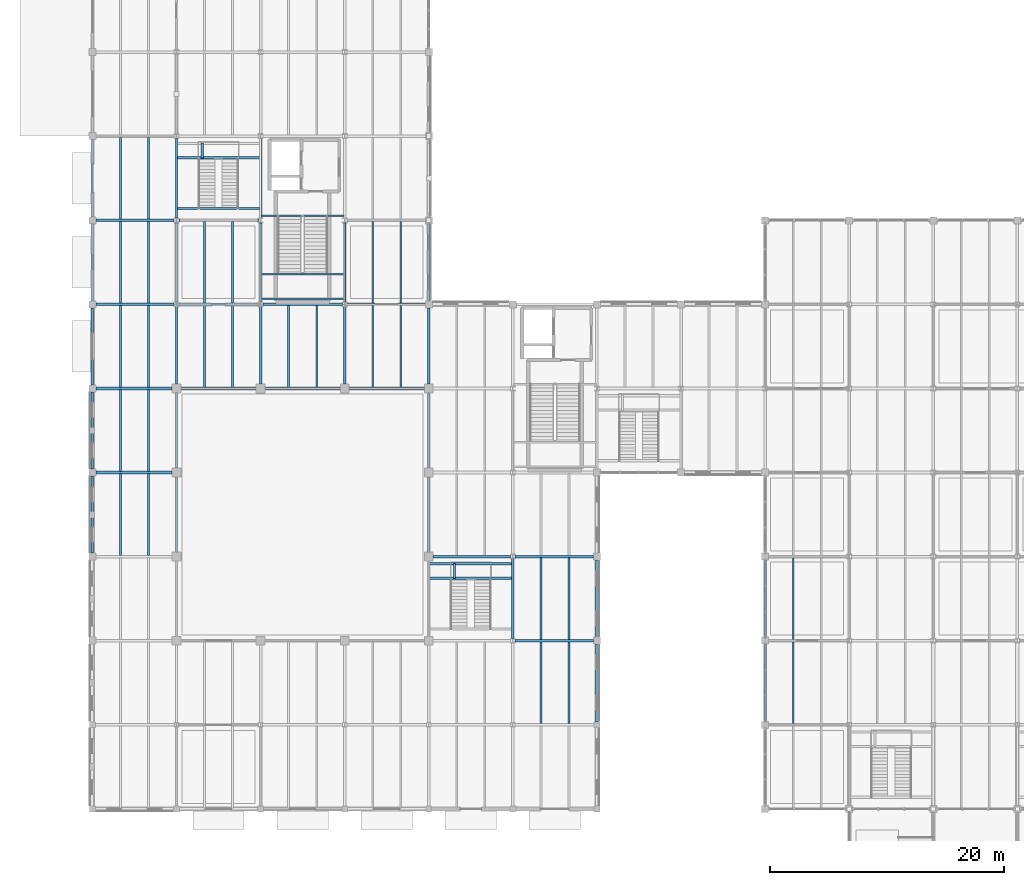
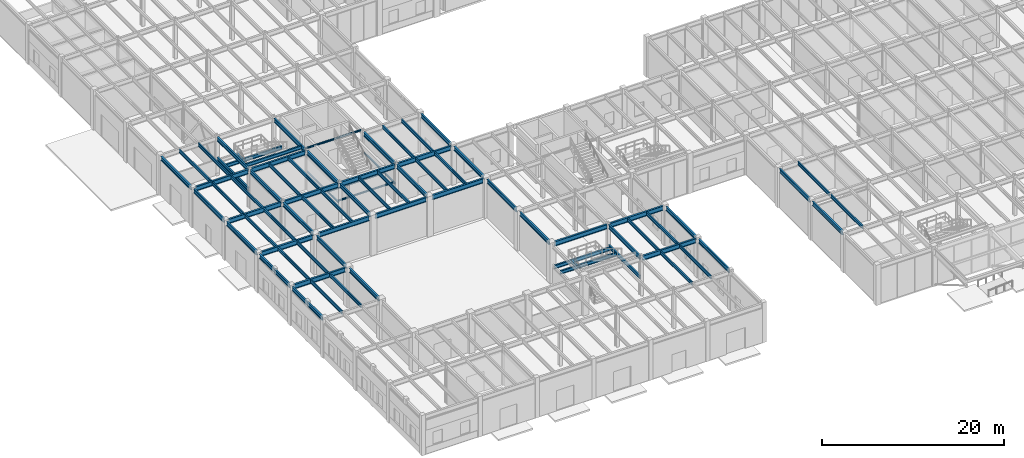
# One storey, part 19 of 97: 77 beams.
"""IFC4 building model written with IfcOpenShell, lengths in metres."""

from ifc_helpers import new_model, si_unit, direction, frame, origin, origin_2d, place, context, subcontext, project, spatial, i_section, extrude, material, material_profile, profile_set, type_object, element, save


model = new_model("IFC4")

# Units and contexts
model_context = context("Model", 3, precision=1e-05, world=origin(), true_north=direction((0.0, 1.0)))
body_context = subcontext(model_context, "Body", "Model", "MODEL_VIEW")
ifc_project = project(units=[si_unit("LENGTHUNIT", "METRE"), si_unit("AREAUNIT", "SQUARE_METRE"), si_unit("VOLUMEUNIT", "CUBIC_METRE"), si_unit("PLANEANGLEUNIT", "RADIAN"), si_unit("MASSUNIT", "GRAM", prefix="KILO")], contexts=[model_context])

# Site, building, storey
site_placement = place(None, origin())
site = spatial("IfcSite", under=ifc_project, at=site_placement, CompositionType="ELEMENT")
building_placement = place(site_placement, origin())
building = spatial("IfcBuilding", under=site, at=building_placement, Name="Sillqori Civic Hall", CompositionType="ELEMENT")
storey_placement = place(building_placement, origin())
storey = spatial("IfcBuildingStorey", under=building, at=storey_placement, Name="L01", CompositionType="ELEMENT", Elevation=0.0)

# Beams
ifc_material = material(Name="Steel ASTM A992", Category="steel")
ifc_material_profile_1 = material_profile(ifc_material, i_section(OverallWidth=0.19091796875, OverallDepth=0.4599609375, WebThickness=0.010009765625, FlangeThickness=0.01611328125, FilletRadius=0.012939453125, at=origin_2d()), Name="W18X55")
ifc_profile_set_1 = profile_set([ifc_material_profile_1], Name="Steel ASTM A992")
beam_type_1 = type_object("IfcBeamType", Name="BM-W18X55", PredefinedType="BEAM", material=ifc_profile_set_1)
beam_1_placement = place(storey_placement, frame((43.199951171875, 21.778076171875, 2.27490234375), z_axis=(0.0, 1.0, 0.0), x_axis=(-1.0, 0.0, 0.0)))
element("IfcBeam", 1, at=beam_1_placement, inside=storey, type_object=beam_type_1, Name="Council Foyer Ceremonial Stair L01-L02 landing stringer girder E", PredefinedType="BEAM", context=body_context, shape_type="SweptSolid", body=[
    extrude(i_section(OverallWidth=0.19091796875, OverallDepth=0.4599609375, WebThickness=0.010009765625, FlangeThickness=0.01611328125, FilletRadius=0.012939453125, at=origin_2d()), origin(), (0.0, 0.0, 1.0), 6.843994140625),
])
for number, where, z_axis, x_axis, name in (
    (2, (36.0400390625, 26.949951171875, 2.27490234375), (1.0, 0.0, 0.0), (0.0, 1.0, 0.0), "Council Foyer Ceremonial Stair L01-L02 half-landing cross trimmer 1"),
    (3, (36.0400390625, 28.179931640625, 2.27490234375), (1.0, 0.0, 0.0), (0.0, 1.0, 0.0), "Council Foyer Ceremonial Stair L01-L02 half-landing cross trimmer 2"),
):
    element("IfcBeam", number, at=place(storey_placement, frame(where, z_axis=z_axis, x_axis=x_axis)), inside=storey, type_object=beam_type_1, Name=name, PredefinedType="BEAM", context=body_context, shape_type="SweptSolid", body=[
        extrude(i_section(OverallWidth=0.19091796875, OverallDepth=0.4599609375, WebThickness=0.010009765625, FlangeThickness=0.01611328125, FilletRadius=0.012939453125, at=origin_2d()), origin(), (0.0, 0.0, 1.0), 7.119873046875),
    ])
beam_2_placement = place(storey_placement, frame((38.199951171875, 26.919921875, 2.27490234375), z_axis=(0.0, 1.0, 0.0), x_axis=(-1.0, 0.0, 0.0)))
element("IfcBeam", 4, at=beam_2_placement, inside=storey, type_object=beam_type_1, Name="Council Foyer Ceremonial Stair L01-L02 half-landing spine rib", PredefinedType="BEAM", context=body_context, shape_type="SweptSolid", body=[
    extrude(i_section(OverallWidth=0.19091796875, OverallDepth=0.4599609375, WebThickness=0.010009765625, FlangeThickness=0.01611328125, FilletRadius=0.012939453125, at=origin_2d()), origin(), (0.0, 0.0, 1.0), 1.2900390625),
])
beam_3_placement = place(storey_placement, frame((14.39990234375, 57.787109375, 2.27490234375), z_axis=(0.0, 1.0, 0.0), x_axis=(-1.0, 0.0, 0.0)))
element("IfcBeam", 5, at=beam_3_placement, inside=storey, type_object=beam_type_1, Name="West Committee Concourse Stair L01-L02 landing stringer girder W", PredefinedType="BEAM", context=body_context, shape_type="SweptSolid", body=[
    extrude(i_section(OverallWidth=0.19091796875, OverallDepth=0.4599609375, WebThickness=0.010009765625, FlangeThickness=0.01611328125, FilletRadius=0.012939453125, at=origin_2d()), origin(), (0.0, 0.0, 1.0), 6.825927734375),
])
beam_4_placement = place(storey_placement, frame((14.43994140625, 62.949951171875, 2.27490234375), z_axis=(1.0, 0.0, 0.0), x_axis=(0.0, 1.0, 0.0)))
element("IfcBeam", 6, at=beam_4_placement, inside=storey, type_object=beam_type_1, Name="West Committee Concourse Stair L01-L02 half-landing cross trimmer 1", PredefinedType="BEAM", context=body_context, shape_type="SweptSolid", body=[
    extrude(i_section(OverallWidth=0.19091796875, OverallDepth=0.4599609375, WebThickness=0.010009765625, FlangeThickness=0.01611328125, FilletRadius=0.012939453125, at=origin_2d()), origin(), (0.0, 0.0, 1.0), 7.1201171875),
])
beam_5_placement = place(storey_placement, frame((16.60009765625, 62.919921875, 2.27490234375), z_axis=(0.0, 1.0, 0.0), x_axis=(-1.0, 0.0, 0.0)))
element("IfcBeam", 7, at=beam_5_placement, inside=storey, type_object=beam_type_1, Name="West Committee Concourse Stair L01-L02 half-landing spine rib", PredefinedType="BEAM", context=body_context, shape_type="SweptSolid", body=[
    extrude(i_section(OverallWidth=0.19091796875, OverallDepth=0.4599609375, WebThickness=0.010009765625, FlangeThickness=0.01611328125, FilletRadius=0.012939453125, at=origin_2d()), origin(), (0.0, 0.0, 1.0), 1.2900390625),
])
beam_6_placement = place(storey_placement, frame((14.43994140625, 58.60009765625, 4.97509765625), z_axis=(1.0, 0.0, 0.0), x_axis=(0.0, 1.0, 0.0)))
element("IfcBeam", 8, at=beam_6_placement, inside=storey, type_object=beam_type_1, Name="West Committee Concourse Stair L01-L02 upper arrival trimmer beam", PredefinedType="BEAM", context=body_context, shape_type="SweptSolid", body=[
    extrude(i_section(OverallWidth=0.19091796875, OverallDepth=0.4599609375, WebThickness=0.010009765625, FlangeThickness=0.01611328125, FilletRadius=0.012939453125, at=origin_2d()), origin(), (0.0, 0.0, 1.0), 7.1201171875),
])
ifc_material_profile_2 = material_profile(ifc_material, i_section(OverallWidth=0.2099609375, OverallDepth=0.532958984375, WebThickness=0.01025390625, FlangeThickness=0.015625, FilletRadius=0.013916015625, at=origin_2d()), Name="W21X62")
ifc_profile_set_2 = profile_set([ifc_material_profile_2], Name="Steel ASTM A992")
beam_type_2 = type_object("IfcBeamType", Name="BM-W21X62", PredefinedType="BEAM", material=ifc_profile_set_2)
for number, where, z_axis, x_axis, name in (
    (9, (7.199951171875, 29.093994140625, 4.93359375), (0.0, 1.0, 0.0), (-1.0, 0.0, 0.0), "L01 girder Y 1-4"),
    (10, (7.199951171875, 36.2939453125, 4.93359375), (0.0, 1.0, 0.0), (-1.0, 0.0, 0.0), "L01 girder Y 1-5"),
    (11, (7.199951171875, 43.493896484375, 4.93359375), (0.0, 1.0, 0.0), (-1.0, 0.0, 0.0), "L01 girder Y 1-6"),
):
    element("IfcBeam", number, at=place(storey_placement, frame(where, z_axis=z_axis, x_axis=x_axis)), inside=storey, type_object=beam_type_2, Name=name, PredefinedType="BEAM", context=body_context, shape_type="SweptSolid", body=[
        extrude(i_section(OverallWidth=0.2099609375, OverallDepth=0.532958984375, WebThickness=0.01025390625, FlangeThickness=0.015625, FilletRadius=0.013916015625, at=origin_2d()), origin(), (0.0, 0.0, 1.0), 6.612060546875),
    ])
beam_7_placement = place(storey_placement, frame((7.199951171875, 50.694091796875, 4.93359375), z_axis=(0.0, 1.0, 0.0), x_axis=(-1.0, 0.0, 0.0)))
element("IfcBeam", 12, at=beam_7_placement, inside=storey, type_object=beam_type_2, Name="L01 girder Y 1-7", PredefinedType="BEAM", context=body_context, shape_type="SweptSolid", body=[
    extrude(i_section(OverallWidth=0.2099609375, OverallDepth=0.532958984375, WebThickness=0.01025390625, FlangeThickness=0.015625, FilletRadius=0.013916015625, at=origin_2d()), origin(), (0.0, 0.0, 1.0), 6.61181640625),
])
beam_8_placement = place(storey_placement, frame((7.199951171875, 57.89404296875, 4.93359375), z_axis=(0.0, 1.0, 0.0), x_axis=(-1.0, 0.0, 0.0)))
element("IfcBeam", 13, at=beam_8_placement, inside=storey, type_object=beam_type_2, Name="L01 girder Y 1-8", PredefinedType="BEAM", context=body_context, shape_type="SweptSolid", body=[
    extrude(i_section(OverallWidth=0.2099609375, OverallDepth=0.532958984375, WebThickness=0.01025390625, FlangeThickness=0.015625, FilletRadius=0.013916015625, at=origin_2d()), origin(), (0.0, 0.0, 1.0), 6.612060546875),
])
for number, where, z_axis, x_axis, name in (
    (14, (14.39990234375, 29.1689453125, 4.93359375), (0.0, 1.0, 0.0), (-1.0, 0.0, 0.0), "L01 girder Y 2-4"),
    (15, (14.39990234375, 36.368896484375, 4.93359375), (0.0, 1.0, 0.0), (-1.0, 0.0, 0.0), "L01 girder Y 2-5"),
):
    element("IfcBeam", number, at=place(storey_placement, frame(where, z_axis=z_axis, x_axis=x_axis)), inside=storey, type_object=beam_type_2, Name=name, PredefinedType="BEAM", context=body_context, shape_type="SweptSolid", body=[
        extrude(i_section(OverallWidth=0.2099609375, OverallDepth=0.532958984375, WebThickness=0.01025390625, FlangeThickness=0.015625, FilletRadius=0.013916015625, at=origin_2d()), origin(), (0.0, 0.0, 1.0), 6.462158203125),
    ])
beam_9_placement = place(storey_placement, frame((14.39990234375, 43.569091796875, 4.93359375), z_axis=(0.0, 1.0, 0.0), x_axis=(-1.0, 0.0, 0.0)))
element("IfcBeam", 16, at=beam_9_placement, inside=storey, type_object=beam_type_2, Name="L01 girder Y 2-6", PredefinedType="BEAM", context=body_context, shape_type="SweptSolid", body=[
    extrude(i_section(OverallWidth=0.2099609375, OverallDepth=0.532958984375, WebThickness=0.01025390625, FlangeThickness=0.015625, FilletRadius=0.013916015625, at=origin_2d()), origin(), (0.0, 0.0, 1.0), 6.643798828125),
])
beam_10_placement = place(storey_placement, frame((14.39990234375, 50.5869140625, 4.93359375), z_axis=(0.0, 1.0, 0.0), x_axis=(-1.0, 0.0, 0.0)))
element("IfcBeam", 17, at=beam_10_placement, inside=storey, type_object=beam_type_2, Name="L01 girder Y 2-7", PredefinedType="BEAM", context=body_context, shape_type="SweptSolid", body=[
    extrude(i_section(OverallWidth=0.2099609375, OverallDepth=0.532958984375, WebThickness=0.01025390625, FlangeThickness=0.015625, FilletRadius=0.013916015625, at=origin_2d()), origin(), (0.0, 0.0, 1.0), 6.826171875),
])
beam_11_placement = place(storey_placement, frame((14.39990234375, 57.787109375, 4.93359375), z_axis=(0.0, 1.0, 0.0), x_axis=(-1.0, 0.0, 0.0)))
element("IfcBeam", 18, at=beam_11_placement, inside=storey, type_object=beam_type_2, Name="L01 girder Y 2-8", PredefinedType="BEAM", context=body_context, shape_type="SweptSolid", body=[
    extrude(i_section(OverallWidth=0.2099609375, OverallDepth=0.532958984375, WebThickness=0.01025390625, FlangeThickness=0.015625, FilletRadius=0.013916015625, at=origin_2d()), origin(), (0.0, 0.0, 1.0), 6.825927734375),
])
beam_12_placement = place(storey_placement, frame((21.60009765625, 43.569091796875, 4.93359375), z_axis=(0.0, 1.0, 0.0), x_axis=(-1.0, 0.0, 0.0)))
element("IfcBeam", 19, at=beam_12_placement, inside=storey, type_object=beam_type_2, Name="L01 girder Y 3-6", PredefinedType="BEAM", context=body_context, shape_type="SweptSolid", body=[
    extrude(i_section(OverallWidth=0.2099609375, OverallDepth=0.532958984375, WebThickness=0.01025390625, FlangeThickness=0.015625, FilletRadius=0.013916015625, at=origin_2d()), origin(), (0.0, 0.0, 1.0), 6.643798828125),
])
beam_13_placement = place(storey_placement, frame((21.60009765625, 50.5869140625, 4.93359375), z_axis=(0.0, 1.0, 0.0), x_axis=(-1.0, 0.0, 0.0)))
element("IfcBeam", 20, at=beam_13_placement, inside=storey, type_object=beam_type_2, Name="L01 girder Y 3-7", PredefinedType="BEAM", context=body_context, shape_type="SweptSolid", body=[
    extrude(i_section(OverallWidth=0.2099609375, OverallDepth=0.532958984375, WebThickness=0.01025390625, FlangeThickness=0.015625, FilletRadius=0.013916015625, at=origin_2d()), origin(), (0.0, 0.0, 1.0), 6.826171875),
])
beam_14_placement = place(storey_placement, frame((21.60009765625, 57.787109375, 4.93359375), z_axis=(0.0, 1.0, 0.0), x_axis=(-1.0, 0.0, 0.0)))
element("IfcBeam", 21, at=beam_14_placement, inside=storey, type_object=beam_type_2, Name="L01 girder Y 3-8", PredefinedType="BEAM", context=body_context, shape_type="SweptSolid", body=[
    extrude(i_section(OverallWidth=0.2099609375, OverallDepth=0.532958984375, WebThickness=0.01025390625, FlangeThickness=0.015625, FilletRadius=0.013916015625, at=origin_2d()), origin(), (0.0, 0.0, 1.0), 6.825927734375),
])
beam_15_placement = place(storey_placement, frame((28.800048828125, 43.569091796875, 4.93359375), z_axis=(0.0, 1.0, 0.0), x_axis=(-1.0, 0.0, 0.0)))
element("IfcBeam", 22, at=beam_15_placement, inside=storey, type_object=beam_type_2, Name="L01 girder Y 4-6", PredefinedType="BEAM", context=body_context, shape_type="SweptSolid", body=[
    extrude(i_section(OverallWidth=0.2099609375, OverallDepth=0.532958984375, WebThickness=0.01025390625, FlangeThickness=0.015625, FilletRadius=0.013916015625, at=origin_2d()), origin(), (0.0, 0.0, 1.0), 6.643798828125),
])
beam_16_placement = place(storey_placement, frame((28.800048828125, 50.5869140625, 4.93359375), z_axis=(0.0, 1.0, 0.0), x_axis=(-1.0, 0.0, 0.0)))
element("IfcBeam", 23, at=beam_16_placement, inside=storey, type_object=beam_type_2, Name="L01 girder Y 4-7", PredefinedType="BEAM", context=body_context, shape_type="SweptSolid", body=[
    extrude(i_section(OverallWidth=0.2099609375, OverallDepth=0.532958984375, WebThickness=0.01025390625, FlangeThickness=0.015625, FilletRadius=0.013916015625, at=origin_2d()), origin(), (0.0, 0.0, 1.0), 6.826171875),
])
for number, where, z_axis, x_axis, name in (
    (24, (36.0, 29.1689453125, 4.93359375), (0.0, 1.0, 0.0), (-1.0, 0.0, 0.0), "L01 girder Y 5-4"),
    (25, (36.0, 36.368896484375, 4.93359375), (0.0, 1.0, 0.0), (-1.0, 0.0, 0.0), "L01 girder Y 5-5"),
):
    element("IfcBeam", number, at=place(storey_placement, frame(where, z_axis=z_axis, x_axis=x_axis)), inside=storey, type_object=beam_type_2, Name=name, PredefinedType="BEAM", context=body_context, shape_type="SweptSolid", body=[
        extrude(i_section(OverallWidth=0.2099609375, OverallDepth=0.532958984375, WebThickness=0.01025390625, FlangeThickness=0.015625, FilletRadius=0.013916015625, at=origin_2d()), origin(), (0.0, 0.0, 1.0), 6.462158203125),
    ])
beam_17_placement = place(storey_placement, frame((36.0, 43.569091796875, 4.93359375), z_axis=(0.0, 1.0, 0.0), x_axis=(-1.0, 0.0, 0.0)))
element("IfcBeam", 26, at=beam_17_placement, inside=storey, type_object=beam_type_2, Name="L01 girder Y 5-6", PredefinedType="BEAM", context=body_context, shape_type="SweptSolid", body=[
    extrude(i_section(OverallWidth=0.2099609375, OverallDepth=0.532958984375, WebThickness=0.01025390625, FlangeThickness=0.015625, FilletRadius=0.013916015625, at=origin_2d()), origin(), (0.0, 0.0, 1.0), 6.536865234375),
])
beam_18_placement = place(storey_placement, frame((36.0, 50.694091796875, 4.93359375), z_axis=(0.0, 1.0, 0.0), x_axis=(-1.0, 0.0, 0.0)))
element("IfcBeam", 27, at=beam_18_placement, inside=storey, type_object=beam_type_2, Name="L01 girder Y 5-7", PredefinedType="BEAM", context=body_context, shape_type="SweptSolid", body=[
    extrude(i_section(OverallWidth=0.2099609375, OverallDepth=0.532958984375, WebThickness=0.01025390625, FlangeThickness=0.015625, FilletRadius=0.013916015625, at=origin_2d()), origin(), (0.0, 0.0, 1.0), 6.61181640625),
])
beam_19_placement = place(storey_placement, frame((43.199951171875, 21.778076171875, 4.93359375), z_axis=(0.0, 1.0, 0.0), x_axis=(-1.0, 0.0, 0.0)))
element("IfcBeam", 28, at=beam_19_placement, inside=storey, type_object=beam_type_2, Name="L01 girder Y 6-3", PredefinedType="BEAM", context=body_context, shape_type="SweptSolid", body=[
    extrude(i_section(OverallWidth=0.2099609375, OverallDepth=0.532958984375, WebThickness=0.01025390625, FlangeThickness=0.015625, FilletRadius=0.013916015625, at=origin_2d()), origin(), (0.0, 0.0, 1.0), 6.843994140625),
])
beam_20_placement = place(storey_placement, frame((50.39990234375, 14.64404296875, 4.93359375), z_axis=(0.0, 1.0, 0.0), x_axis=(-1.0, 0.0, 0.0)))
element("IfcBeam", 29, at=beam_20_placement, inside=storey, type_object=beam_type_2, Name="L01 girder Y 7-2", PredefinedType="BEAM", context=body_context, shape_type="SweptSolid", body=[
    extrude(i_section(OverallWidth=0.2099609375, OverallDepth=0.532958984375, WebThickness=0.01025390625, FlangeThickness=0.015625, FilletRadius=0.013916015625, at=origin_2d()), origin(), (0.0, 0.0, 1.0), 6.661865234375),
])
beam_21_placement = place(storey_placement, frame((50.39990234375, 21.89404296875, 4.93359375), z_axis=(0.0, 1.0, 0.0), x_axis=(-1.0, 0.0, 0.0)))
element("IfcBeam", 30, at=beam_21_placement, inside=storey, type_object=beam_type_2, Name="L01 girder Y 7-3", PredefinedType="BEAM", context=body_context, shape_type="SweptSolid", body=[
    extrude(i_section(OverallWidth=0.2099609375, OverallDepth=0.532958984375, WebThickness=0.01025390625, FlangeThickness=0.015625, FilletRadius=0.013916015625, at=origin_2d()), origin(), (0.0, 0.0, 1.0), 6.612060546875),
])
beam_22_placement = place(storey_placement, frame((64.800048828125, 14.694091796875, 4.93359375), z_axis=(0.0, 1.0, 0.0), x_axis=(-1.0, 0.0, 0.0)))
element("IfcBeam", 31, at=beam_22_placement, inside=storey, type_object=beam_type_2, Name="L01 girder Y 9-2", PredefinedType="BEAM", context=body_context, shape_type="SweptSolid", body=[
    extrude(i_section(OverallWidth=0.2099609375, OverallDepth=0.532958984375, WebThickness=0.01025390625, FlangeThickness=0.015625, FilletRadius=0.013916015625, at=origin_2d()), origin(), (0.0, 0.0, 1.0), 6.61181640625),
])
beam_23_placement = place(storey_placement, frame((64.800048828125, 21.89404296875, 4.93359375), z_axis=(0.0, 1.0, 0.0), x_axis=(-1.0, 0.0, 0.0)))
element("IfcBeam", 32, at=beam_23_placement, inside=storey, type_object=beam_type_2, Name="L01 girder Y 9-3", PredefinedType="BEAM", context=body_context, shape_type="SweptSolid", body=[
    extrude(i_section(OverallWidth=0.2099609375, OverallDepth=0.532958984375, WebThickness=0.01025390625, FlangeThickness=0.015625, FilletRadius=0.013916015625, at=origin_2d()), origin(), (0.0, 0.0, 1.0), 6.612060546875),
])
ifc_material_profile_3 = material_profile(ifc_material, i_section(OverallWidth=0.22802734375, OverallDepth=0.60205078125, WebThickness=0.010498046875, FlangeThickness=0.014892578125, FilletRadius=0.014892578125, at=origin_2d()), Name="W24X68")
ifc_profile_set_3 = profile_set([ifc_material_profile_3], Name="Steel ASTM A992")
beam_type_3 = type_object("IfcBeamType", Name="BM-W24X68", PredefinedType="BEAM", material=ifc_profile_set_3)
for number, where, z_axis, x_axis, name in (
    (33, (7.493896484375, 36.0, 4.89892578125), (1.0, 0.0, 0.0), (0.0, 1.0, 0.0), "L01 girder X 1-5"),
    (34, (7.493896484375, 43.199951171875, 4.89892578125), (1.0, 0.0, 0.0), (0.0, 1.0, 0.0), "L01 girder X 1-6"),
):
    element("IfcBeam", number, at=place(storey_placement, frame(where, z_axis=z_axis, x_axis=x_axis)), inside=storey, type_object=beam_type_3, Name=name, PredefinedType="BEAM", context=body_context, shape_type="SweptSolid", body=[
        extrude(i_section(OverallWidth=0.22802734375, OverallDepth=0.60205078125, WebThickness=0.010498046875, FlangeThickness=0.014892578125, FilletRadius=0.014892578125, at=origin_2d()), origin(), (0.0, 0.0, 1.0), 6.537109375),
    ])
for number, where, z_axis, x_axis, name in (
    (35, (7.493896484375, 50.39990234375, 4.89892578125), (1.0, 0.0, 0.0), (0.0, 1.0, 0.0), "L01 girder X 1-7"),
    (36, (7.493896484375, 57.60009765625, 4.89892578125), (1.0, 0.0, 0.0), (0.0, 1.0, 0.0), "L01 girder X 1-8"),
):
    element("IfcBeam", number, at=place(storey_placement, frame(where, z_axis=z_axis, x_axis=x_axis)), inside=storey, type_object=beam_type_3, Name=name, PredefinedType="BEAM", context=body_context, shape_type="SweptSolid", body=[
        extrude(i_section(OverallWidth=0.22802734375, OverallDepth=0.60205078125, WebThickness=0.010498046875, FlangeThickness=0.014892578125, FilletRadius=0.014892578125, at=origin_2d()), origin(), (0.0, 0.0, 1.0), 6.712646484375),
    ])
beam_24_placement = place(storey_placement, frame((14.76904296875, 43.199951171875, 4.89892578125), z_axis=(1.0, 0.0, 0.0), x_axis=(0.0, 1.0, 0.0)))
element("IfcBeam", 37, at=beam_24_placement, inside=storey, type_object=beam_type_3, Name="L01 girder X 2-6", PredefinedType="BEAM", context=body_context, shape_type="SweptSolid", body=[
    extrude(i_section(OverallWidth=0.22802734375, OverallDepth=0.60205078125, WebThickness=0.010498046875, FlangeThickness=0.014892578125, FilletRadius=0.014892578125, at=origin_2d()), origin(), (0.0, 0.0, 1.0), 6.4619140625),
])
for number, where, z_axis, x_axis, name in (
    (38, (14.593505859375, 50.39990234375, 4.89892578125), (1.0, 0.0, 0.0), (0.0, 1.0, 0.0), "L01 girder X 2-7"),
    (39, (14.593505859375, 57.60009765625, 4.89892578125), (1.0, 0.0, 0.0), (0.0, 1.0, 0.0), "L01 girder X 2-8"),
):
    element("IfcBeam", number, at=place(storey_placement, frame(where, z_axis=z_axis, x_axis=x_axis)), inside=storey, type_object=beam_type_3, Name=name, PredefinedType="BEAM", context=body_context, shape_type="SweptSolid", body=[
        extrude(i_section(OverallWidth=0.22802734375, OverallDepth=0.60205078125, WebThickness=0.010498046875, FlangeThickness=0.014892578125, FilletRadius=0.014892578125, at=origin_2d()), origin(), (0.0, 0.0, 1.0), 6.81298828125),
    ])
beam_25_placement = place(storey_placement, frame((21.968994140625, 43.199951171875, 4.89892578125), z_axis=(1.0, 0.0, 0.0), x_axis=(0.0, 1.0, 0.0)))
element("IfcBeam", 40, at=beam_25_placement, inside=storey, type_object=beam_type_3, Name="L01 girder X 3-6", PredefinedType="BEAM", context=body_context, shape_type="SweptSolid", body=[
    extrude(i_section(OverallWidth=0.22802734375, OverallDepth=0.60205078125, WebThickness=0.010498046875, FlangeThickness=0.014892578125, FilletRadius=0.014892578125, at=origin_2d()), origin(), (0.0, 0.0, 1.0), 6.4619140625),
])
beam_26_placement = place(storey_placement, frame((21.79345703125, 50.39990234375, 4.89892578125), z_axis=(1.0, 0.0, 0.0), x_axis=(0.0, 1.0, 0.0)))
element("IfcBeam", 41, at=beam_26_placement, inside=storey, type_object=beam_type_3, Name="L01 girder X 3-7", PredefinedType="BEAM", context=body_context, shape_type="SweptSolid", body=[
    extrude(i_section(OverallWidth=0.22802734375, OverallDepth=0.60205078125, WebThickness=0.010498046875, FlangeThickness=0.014892578125, FilletRadius=0.014892578125, at=origin_2d()), origin(), (0.0, 0.0, 1.0), 6.81298828125),
])
beam_27_placement = place(storey_placement, frame((29.1689453125, 43.199951171875, 4.89892578125), z_axis=(1.0, 0.0, 0.0), x_axis=(0.0, 1.0, 0.0)))
element("IfcBeam", 42, at=beam_27_placement, inside=storey, type_object=beam_type_3, Name="L01 girder X 4-6", PredefinedType="BEAM", context=body_context, shape_type="SweptSolid", body=[
    extrude(i_section(OverallWidth=0.22802734375, OverallDepth=0.60205078125, WebThickness=0.010498046875, FlangeThickness=0.014892578125, FilletRadius=0.014892578125, at=origin_2d()), origin(), (0.0, 0.0, 1.0), 6.462158203125),
])
beam_28_placement = place(storey_placement, frame((28.993408203125, 50.39990234375, 4.89892578125), z_axis=(1.0, 0.0, 0.0), x_axis=(0.0, 1.0, 0.0)))
element("IfcBeam", 43, at=beam_28_placement, inside=storey, type_object=beam_type_3, Name="L01 girder X 4-7", PredefinedType="BEAM", context=body_context, shape_type="SweptSolid", body=[
    extrude(i_section(OverallWidth=0.22802734375, OverallDepth=0.60205078125, WebThickness=0.010498046875, FlangeThickness=0.014892578125, FilletRadius=0.014892578125, at=origin_2d()), origin(), (0.0, 0.0, 1.0), 6.712646484375),
])
beam_29_placement = place(storey_placement, frame((36.368896484375, 28.800048828125, 4.89892578125), z_axis=(1.0, 0.0, 0.0), x_axis=(0.0, 1.0, 0.0)))
element("IfcBeam", 44, at=beam_29_placement, inside=storey, type_object=beam_type_3, Name="L01 girder X 5-4", PredefinedType="BEAM", context=body_context, shape_type="SweptSolid", body=[
    extrude(i_section(OverallWidth=0.22802734375, OverallDepth=0.60205078125, WebThickness=0.010498046875, FlangeThickness=0.014892578125, FilletRadius=0.014892578125, at=origin_2d()), origin(), (0.0, 0.0, 1.0), 6.650634765625),
])
for number, where, z_axis, x_axis, name in (
    (45, (43.380615234375, 21.60009765625, 4.89892578125), (1.0, 0.0, 0.0), (0.0, 1.0, 0.0), "L01 girder X 6-3"),
    (46, (43.380615234375, 28.800048828125, 4.89892578125), (1.0, 0.0, 0.0), (0.0, 1.0, 0.0), "L01 girder X 6-4"),
):
    element("IfcBeam", number, at=place(storey_placement, frame(where, z_axis=z_axis, x_axis=x_axis)), inside=storey, type_object=beam_type_3, Name=name, PredefinedType="BEAM", context=body_context, shape_type="SweptSolid", body=[
        extrude(i_section(OverallWidth=0.22802734375, OverallDepth=0.60205078125, WebThickness=0.010498046875, FlangeThickness=0.014892578125, FilletRadius=0.014892578125, at=origin_2d()), origin(), (0.0, 0.0, 1.0), 6.725341796875),
    ])
ifc_material_profile_4 = material_profile(ifc_material, i_section(OverallWidth=0.153076171875, OverallDepth=0.455078125, WebThickness=0.008056640625, FlangeThickness=0.01318359375, FilletRadius=0.012939453125, at=origin_2d()), Name="W18X40")
ifc_profile_set_4 = profile_set([ifc_material_profile_4], Name="Steel ASTM A992")
beam_type_4 = type_object("IfcBeamType", Name="JS-W18X40", PredefinedType="JOIST", material=ifc_profile_set_4)
for number, where, z_axis, x_axis, name in (
    (47, (9.60009765625, 28.89501953125, 4.972412109375), (0.0, 1.0, 0.0), (-1.0, 0.0, 0.0), "L01 composite joist 1-4.1"),
    (48, (12.0, 28.89501953125, 4.972412109375), (0.0, 1.0, 0.0), (-1.0, 0.0, 0.0), "L01 composite joist 1-4.2"),
    (49, (9.60009765625, 36.094970703125, 4.972412109375), (0.0, 1.0, 0.0), (-1.0, 0.0, 0.0), "L01 composite joist 1-5.1"),
    (50, (12.0, 36.094970703125, 4.972412109375), (0.0, 1.0, 0.0), (-1.0, 0.0, 0.0), "L01 composite joist 1-5.2"),
    (51, (9.60009765625, 43.294921875, 4.972412109375), (0.0, 1.0, 0.0), (-1.0, 0.0, 0.0), "L01 composite joist 1-6.1"),
    (52, (12.0, 43.294921875, 4.972412109375), (0.0, 1.0, 0.0), (-1.0, 0.0, 0.0), "L01 composite joist 1-6.2"),
):
    element("IfcBeam", number, at=place(storey_placement, frame(where, z_axis=z_axis, x_axis=x_axis)), inside=storey, type_object=beam_type_4, Name=name, PredefinedType="JOIST", context=body_context, shape_type="SweptSolid", body=[
        extrude(i_section(OverallWidth=0.153076171875, OverallDepth=0.455078125, WebThickness=0.008056640625, FlangeThickness=0.01318359375, FilletRadius=0.012939453125, at=origin_2d()), origin(), (0.0, 0.0, 1.0), 7.010009765625),
    ])
for number, where, z_axis, x_axis, name in (
    (53, (9.60009765625, 50.4951171875, 4.972412109375), (0.0, 1.0, 0.0), (-1.0, 0.0, 0.0), "L01 composite joist 1-7.1"),
    (54, (12.0, 50.4951171875, 4.972412109375), (0.0, 1.0, 0.0), (-1.0, 0.0, 0.0), "L01 composite joist 1-7.2"),
):
    element("IfcBeam", number, at=place(storey_placement, frame(where, z_axis=z_axis, x_axis=x_axis)), inside=storey, type_object=beam_type_4, Name=name, PredefinedType="JOIST", context=body_context, shape_type="SweptSolid", body=[
        extrude(i_section(OverallWidth=0.153076171875, OverallDepth=0.455078125, WebThickness=0.008056640625, FlangeThickness=0.01318359375, FilletRadius=0.012939453125, at=origin_2d()), origin(), (0.0, 0.0, 1.0), 7.009765625),
    ])
for number, where, z_axis, x_axis, name in (
    (55, (9.60009765625, 57.695068359375, 4.972412109375), (0.0, 1.0, 0.0), (-1.0, 0.0, 0.0), "L01 composite joist 1-8.1"),
    (56, (12.0, 57.695068359375, 4.972412109375), (0.0, 1.0, 0.0), (-1.0, 0.0, 0.0), "L01 composite joist 1-8.2"),
    (57, (16.800048828125, 43.294921875, 4.972412109375), (0.0, 1.0, 0.0), (-1.0, 0.0, 0.0), "L01 composite joist 2-6.1"),
    (58, (19.199951171875, 43.294921875, 4.972412109375), (0.0, 1.0, 0.0), (-1.0, 0.0, 0.0), "L01 composite joist 2-6.2"),
):
    element("IfcBeam", number, at=place(storey_placement, frame(where, z_axis=z_axis, x_axis=x_axis)), inside=storey, type_object=beam_type_4, Name=name, PredefinedType="JOIST", context=body_context, shape_type="SweptSolid", body=[
        extrude(i_section(OverallWidth=0.153076171875, OverallDepth=0.455078125, WebThickness=0.008056640625, FlangeThickness=0.01318359375, FilletRadius=0.012939453125, at=origin_2d()), origin(), (0.0, 0.0, 1.0), 7.010009765625),
    ])
for number, where, z_axis, x_axis, name in (
    (59, (16.800048828125, 50.4951171875, 4.972412109375), (0.0, 1.0, 0.0), (-1.0, 0.0, 0.0), "L01 composite joist 2-7.1"),
    (60, (19.199951171875, 50.4951171875, 4.972412109375), (0.0, 1.0, 0.0), (-1.0, 0.0, 0.0), "L01 composite joist 2-7.2"),
):
    element("IfcBeam", number, at=place(storey_placement, frame(where, z_axis=z_axis, x_axis=x_axis)), inside=storey, type_object=beam_type_4, Name=name, PredefinedType="JOIST", context=body_context, shape_type="SweptSolid", body=[
        extrude(i_section(OverallWidth=0.153076171875, OverallDepth=0.455078125, WebThickness=0.008056640625, FlangeThickness=0.01318359375, FilletRadius=0.012939453125, at=origin_2d()), origin(), (0.0, 0.0, 1.0), 7.009765625),
    ])
for number, where, z_axis, x_axis, name in (
    (61, (24.0, 43.294921875, 4.972412109375), (0.0, 1.0, 0.0), (-1.0, 0.0, 0.0), "L01 composite joist 3-6.1"),
    (62, (26.39990234375, 43.294921875, 4.972412109375), (0.0, 1.0, 0.0), (-1.0, 0.0, 0.0), "L01 composite joist 3-6.2"),
    (63, (31.199951171875, 43.294921875, 4.972412109375), (0.0, 1.0, 0.0), (-1.0, 0.0, 0.0), "L01 composite joist 4-6.1"),
    (64, (33.60009765625, 43.294921875, 4.972412109375), (0.0, 1.0, 0.0), (-1.0, 0.0, 0.0), "L01 composite joist 4-6.2"),
):
    element("IfcBeam", number, at=place(storey_placement, frame(where, z_axis=z_axis, x_axis=x_axis)), inside=storey, type_object=beam_type_4, Name=name, PredefinedType="JOIST", context=body_context, shape_type="SweptSolid", body=[
        extrude(i_section(OverallWidth=0.153076171875, OverallDepth=0.455078125, WebThickness=0.008056640625, FlangeThickness=0.01318359375, FilletRadius=0.012939453125, at=origin_2d()), origin(), (0.0, 0.0, 1.0), 7.010009765625),
    ])
for number, where, z_axis, x_axis, name in (
    (65, (31.199951171875, 50.4951171875, 4.972412109375), (0.0, 1.0, 0.0), (-1.0, 0.0, 0.0), "L01 composite joist 4-7.1"),
    (66, (33.60009765625, 50.4951171875, 4.972412109375), (0.0, 1.0, 0.0), (-1.0, 0.0, 0.0), "L01 composite joist 4-7.2"),
    (67, (45.60009765625, 14.4951171875, 4.972412109375), (0.0, 1.0, 0.0), (-1.0, 0.0, 0.0), "L01 composite joist 6-2.1"),
    (68, (48.0, 14.4951171875, 4.972412109375), (0.0, 1.0, 0.0), (-1.0, 0.0, 0.0), "L01 composite joist 6-2.2"),
):
    element("IfcBeam", number, at=place(storey_placement, frame(where, z_axis=z_axis, x_axis=x_axis)), inside=storey, type_object=beam_type_4, Name=name, PredefinedType="JOIST", context=body_context, shape_type="SweptSolid", body=[
        extrude(i_section(OverallWidth=0.153076171875, OverallDepth=0.455078125, WebThickness=0.008056640625, FlangeThickness=0.01318359375, FilletRadius=0.012939453125, at=origin_2d()), origin(), (0.0, 0.0, 1.0), 7.009765625),
    ])
for number, where, z_axis, x_axis, name in (
    (69, (45.60009765625, 21.695068359375, 4.972412109375), (0.0, 1.0, 0.0), (-1.0, 0.0, 0.0), "L01 composite joist 6-3.1"),
    (70, (48.0, 21.695068359375, 4.972412109375), (0.0, 1.0, 0.0), (-1.0, 0.0, 0.0), "L01 composite joist 6-3.2"),
):
    element("IfcBeam", number, at=place(storey_placement, frame(where, z_axis=z_axis, x_axis=x_axis)), inside=storey, type_object=beam_type_4, Name=name, PredefinedType="JOIST", context=body_context, shape_type="SweptSolid", body=[
        extrude(i_section(OverallWidth=0.153076171875, OverallDepth=0.455078125, WebThickness=0.008056640625, FlangeThickness=0.01318359375, FilletRadius=0.012939453125, at=origin_2d()), origin(), (0.0, 0.0, 1.0), 7.010009765625),
    ])
beam_30_placement = place(storey_placement, frame((67.199951171875, 14.4951171875, 4.972412109375), z_axis=(0.0, 1.0, 0.0), x_axis=(-1.0, 0.0, 0.0)))
element("IfcBeam", 71, at=beam_30_placement, inside=storey, type_object=beam_type_4, Name="L01 composite joist 9-2.1", PredefinedType="JOIST", context=body_context, shape_type="SweptSolid", body=[
    extrude(i_section(OverallWidth=0.153076171875, OverallDepth=0.455078125, WebThickness=0.008056640625, FlangeThickness=0.01318359375, FilletRadius=0.012939453125, at=origin_2d()), origin(), (0.0, 0.0, 1.0), 7.009765625),
])
beam_31_placement = place(storey_placement, frame((67.199951171875, 21.695068359375, 4.972412109375), z_axis=(0.0, 1.0, 0.0), x_axis=(-1.0, 0.0, 0.0)))
element("IfcBeam", 72, at=beam_31_placement, inside=storey, type_object=beam_type_4, Name="L01 composite joist 9-3.1", PredefinedType="JOIST", context=body_context, shape_type="SweptSolid", body=[
    extrude(i_section(OverallWidth=0.153076171875, OverallDepth=0.455078125, WebThickness=0.008056640625, FlangeThickness=0.01318359375, FilletRadius=0.012939453125, at=origin_2d()), origin(), (0.0, 0.0, 1.0), 7.010009765625),
])
ifc_material_profile_5 = material_profile(ifc_material, i_section(OverallWidth=0.133056640625, OverallDepth=0.20703125, WebThickness=0.005859375, FlangeThickness=0.00830078125, FilletRadius=0.008056640625, at=origin_2d()), Name="W8X18")
ifc_profile_set_5 = profile_set([ifc_material_profile_5], Name="Steel ASTM A992")
beam_type_5 = type_object("IfcBeamType", Name="LN-W8X18", PredefinedType="LINTEL", material=ifc_profile_set_5)
for number, where, z_axis, x_axis, name in (
    (73, (21.60009765625, 50.5869140625, 2.382568359375), (0.0, 1.0, 0.0), (-1.0, 0.0, 0.0), "L01 grid 3 stair landing stringer 1"),
    (74, (28.800048828125, 50.5869140625, 2.382568359375), (0.0, 1.0, 0.0), (-1.0, 0.0, 0.0), "L01 grid 4 stair landing stringer 1"),
):
    element("IfcBeam", number, at=place(storey_placement, frame(where, z_axis=z_axis, x_axis=x_axis)), inside=storey, type_object=beam_type_5, Name=name, PredefinedType="LINTEL", context=body_context, shape_type="SweptSolid", body=[
        extrude(i_section(OverallWidth=0.133056640625, OverallDepth=0.20703125, WebThickness=0.005859375, FlangeThickness=0.00830078125, FilletRadius=0.008056640625, at=origin_2d()), origin(), (0.0, 0.0, 1.0), 6.826171875),
    ])
for number, where, z_axis, x_axis, name in (
    (75, (21.64990234375, 50.89501953125, 2.382568359375), (1.0, 0.0, 0.0), (0.0, 1.0, 0.0), "L01 C4 stair half-landing steel ledger 1.1"),
    (76, (21.64990234375, 52.989990234375, 2.382568359375), (1.0, 0.0, 0.0), (0.0, 1.0, 0.0), "L01 C4 stair half-landing steel ledger 1.2"),
    (77, (21.64990234375, 57.969970703125, 5.1025390625), (1.0, 0.0, 0.0), (0.0, 1.0, 0.0), "L01 C4 stair upper arrival steel trimmer"),
):
    element("IfcBeam", number, at=place(storey_placement, frame(where, z_axis=z_axis, x_axis=x_axis)), inside=storey, type_object=beam_type_5, Name=name, PredefinedType="LINTEL", context=body_context, shape_type="SweptSolid", body=[
        extrude(i_section(OverallWidth=0.133056640625, OverallDepth=0.20703125, WebThickness=0.005859375, FlangeThickness=0.00830078125, FilletRadius=0.008056640625, at=origin_2d()), origin(), (0.0, 0.0, 1.0), 7.10009765625),
    ])

save(model, "model.ifc")
